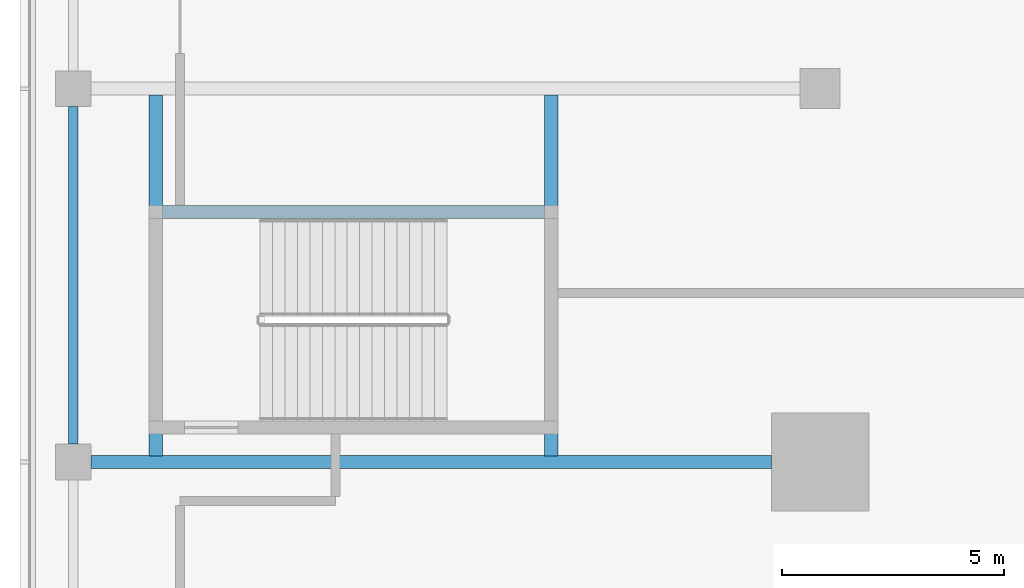
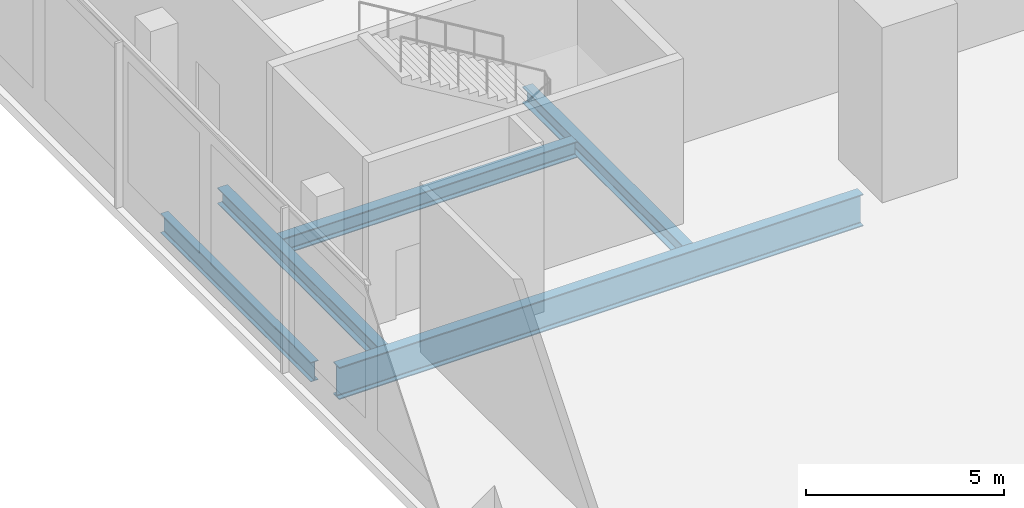
# One storey, part 3 of 39: 5 beams.
"""IFC4 building model written with IfcOpenShell, lengths in metres."""

from ifc_helpers import new_model, si_unit, direction, frame, origin, origin_2d, place, context, subcontext, project, spatial, i_section, extrude, material, material_profile, profile_set, type_object, element, save


model = new_model("IFC4")

# Units and contexts
model_context = context("Model", 3, precision=1e-05, world=origin(), true_north=direction((0.0, 1.0)))
body_context = subcontext(model_context, "Body", "Model", "MODEL_VIEW")
ifc_project = project(units=[si_unit("LENGTHUNIT", "METRE"), si_unit("AREAUNIT", "SQUARE_METRE"), si_unit("VOLUMEUNIT", "CUBIC_METRE"), si_unit("PLANEANGLEUNIT", "RADIAN"), si_unit("MASSUNIT", "GRAM", prefix="KILO")], contexts=[model_context])

# Site, building, storey
site_placement = place(None, origin())
site = spatial("IfcSite", under=ifc_project, at=site_placement, CompositionType="ELEMENT")
building_placement = place(site_placement, origin())
building = spatial("IfcBuilding", under=site, at=building_placement, Name="Saffron Gate Tower", CompositionType="ELEMENT")
storey_placement = place(building_placement, frame((0.0, 0.0, 9.0)))
storey = spatial("IfcBuildingStorey", under=building, at=storey_placement, Name="L01", CompositionType="ELEMENT", Elevation=9.0)

# Beams
ifc_material = material(Name="Structural steel S355", Category="steel")
ifc_material_profile_1 = material_profile(ifc_material, i_section(OverallWidth=0.219970703125, OverallDepth=0.60009765625, WebThickness=0.011962890625, FlangeThickness=0.01904296875, FilletRadius=0.02392578125, at=origin_2d()))
ifc_profile_set_1 = profile_set([ifc_material_profile_1], Name="Structural steel S355")
beam_type_1 = type_object("IfcBeamType", Name="B15 IPE 600", PredefinedType="BEAM", material=ifc_profile_set_1)
beam_1_placement = place(storey_placement, frame((33.0, 40.60009765625, -0.60009765625), z_axis=(0.0, 1.0, 0.0), x_axis=(-1.0, 0.0, 0.0)))
element("IfcBeam", 1, at=beam_1_placement, inside=storey, type_object=beam_type_1, Name="B15 PODIUM EDGE BEAM", PredefinedType="BEAM", context=body_context, shape_type="SweptSolid", body=[
    extrude(i_section(OverallWidth=0.219970703125, OverallDepth=0.60009765625, WebThickness=0.011962890625, FlangeThickness=0.01904296875, FilletRadius=0.02392578125, at=origin_2d()), origin(), (0.0, 0.0, 1.0), 7.599853515625),
])
ifc_material_profile_2 = material_profile(ifc_material, i_section(OverallWidth=0.300048828125, OverallDepth=0.989990234375, WebThickness=0.0166015625, FlangeThickness=0.031005859375, FilletRadius=0.030029296875, at=origin_2d()))
ifc_profile_set_2 = profile_set([ifc_material_profile_2], Name="Structural steel S355")
beam_type_2 = type_object("IfcBeamType", Name="B21 HEA 1000", PredefinedType="BEAM", material=ifc_profile_set_2)
beam_2_placement = place(storey_placement, frame((33.39990234375, 40.199951171875, -0.794921875), z_axis=(1.0, 0.0, 0.0), x_axis=(0.0, 1.0, 0.0)))
element("IfcBeam", 2, at=beam_2_placement, inside=storey, type_object=beam_type_2, Name="B21 PODIUM RING GIRDER", PredefinedType="BEAM", context=body_context, shape_type="SweptSolid", body=[
    extrude(i_section(OverallWidth=0.300048828125, OverallDepth=0.989990234375, WebThickness=0.0166015625, FlangeThickness=0.031005859375, FilletRadius=0.030029296875, at=origin_2d()), origin(), (0.0, 0.0, 1.0), 15.300048828125),
])
ifc_material_profile_3 = material_profile(ifc_material, i_section(OverallWidth=0.300048828125, OverallDepth=0.5, WebThickness=0.014404296875, FlangeThickness=0.028076171875, FilletRadius=0.027099609375, at=origin_2d()))
ifc_profile_set_3 = profile_set([ifc_material_profile_3], Name="Structural steel S355")
beam_type_3 = type_object("IfcBeamType", Name="B9 HEB 500", PredefinedType="BEAM", material=ifc_profile_set_3)
for number, where, z_axis, x_axis, name in (
    (3, (34.85009765625, 40.340087890625, -0.550048828125), (0.0, 1.0, 0.0), (-1.0, 0.0, 0.0), "B9 STAIR ENCLOSURE HEADER BEAM"),
    (4, (43.75, 40.340087890625, -0.550048828125), (0.0, 1.0, 0.0), (-1.0, 0.0, 0.0), "B9 STAIR ENCLOSURE HEADER BEAM"),
):
    element("IfcBeam", number, at=place(storey_placement, frame(where, z_axis=z_axis, x_axis=x_axis)), inside=storey, type_object=beam_type_3, Name=name, PredefinedType="BEAM", context=body_context, shape_type="SweptSolid", body=[
        extrude(i_section(OverallWidth=0.300048828125, OverallDepth=0.5, WebThickness=0.014404296875, FlangeThickness=0.028076171875, FilletRadius=0.027099609375, at=origin_2d()), origin(), (0.0, 0.0, 1.0), 8.119873046875),
    ])
beam_3_placement = place(storey_placement, frame((34.989990234375, 45.824951171875, -0.550048828125), z_axis=(1.0, 0.0, 0.0), x_axis=(0.0, 1.0, 0.0)))
element("IfcBeam", 5, at=beam_3_placement, inside=storey, type_object=beam_type_3, Name="B9 STAIR ENCLOSURE TRIMMER BEAM", PredefinedType="BEAM", context=body_context, shape_type="SweptSolid", body=[
    extrude(i_section(OverallWidth=0.300048828125, OverallDepth=0.5, WebThickness=0.014404296875, FlangeThickness=0.028076171875, FilletRadius=0.027099609375, at=origin_2d()), origin(), (0.0, 0.0, 1.0), 8.6201171875),
])

save(model, "model.ifc")
